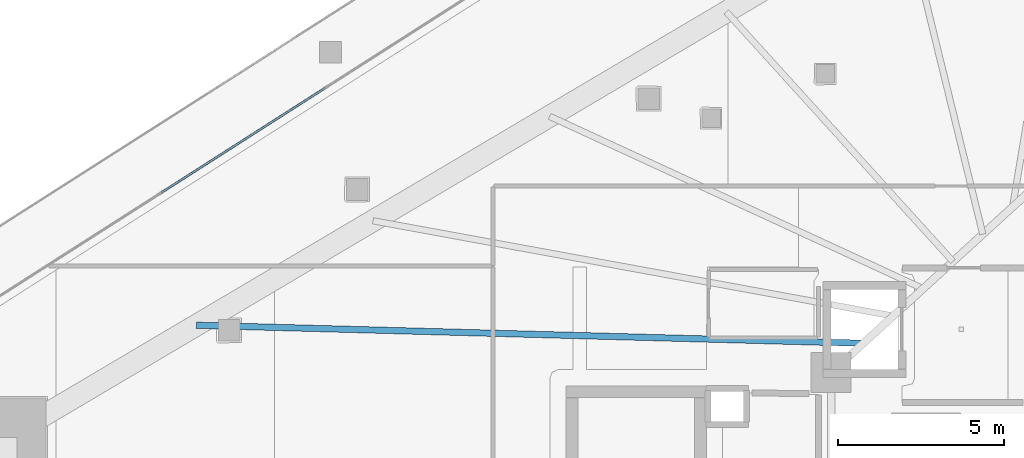
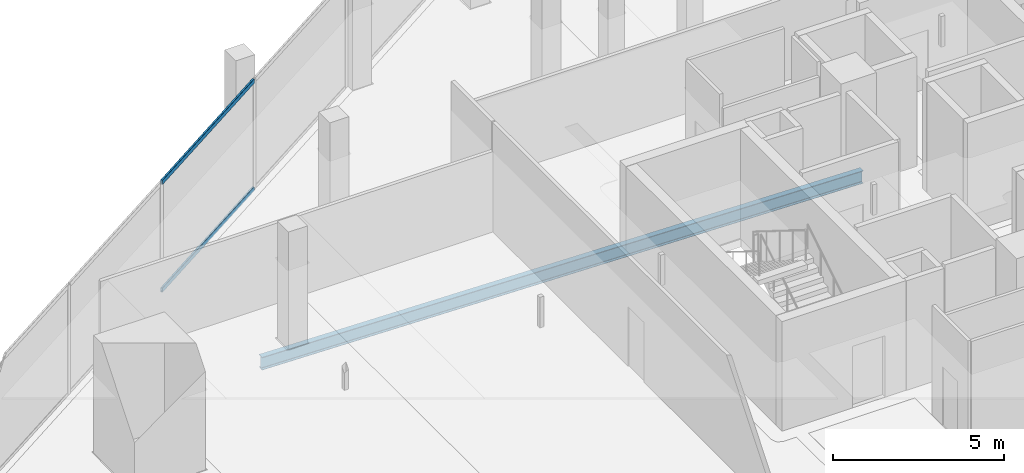
# One storey, part 13 of 44: 2 members, 1 beam, 1 element without a shape of its own.
"""IFC4 building model written with IfcOpenShell, lengths in metres."""

from ifc_helpers import new_model, si_unit, direction, frame, origin, origin_2d, place, context, subcontext, project, spatial, hollow_rectangle, i_section, extrude, material, layer, layer_set, material_profile, profile_set, type_object, element, aggregate, save


model = new_model("IFC4")

# Units and contexts
model_context = context("Model", 3, precision=1e-05, world=origin(), true_north=direction((0.0, 1.0)))
body_context = subcontext(model_context, "Body", "Model", "MODEL_VIEW")
ifc_project = project(units=[si_unit("LENGTHUNIT", "METRE"), si_unit("AREAUNIT", "SQUARE_METRE"), si_unit("VOLUMEUNIT", "CUBIC_METRE"), si_unit("PLANEANGLEUNIT", "RADIAN"), si_unit("MASSUNIT", "GRAM", prefix="KILO")], contexts=[model_context])

# Site, building, storey
site_placement = place(None, origin())
site = spatial("IfcSite", under=ifc_project, at=site_placement, CompositionType="ELEMENT")
building_placement = place(site_placement, origin())
building = spatial("IfcBuilding", under=site, at=building_placement, Name="Qorvath Tower", CompositionType="ELEMENT")
storey_placement = place(building_placement, frame((0.0, 0.0, 40.800048828125)))
storey = spatial("IfcBuildingStorey", under=building, at=storey_placement, Name="L08", CompositionType="ELEMENT", Elevation=40.800048828125)

# Beam
ifc_material_1 = material(Name="Steel ASTM A992 Grade 50", Category="steel")
ifc_material_profile_1 = material_profile(ifc_material_1, i_section(OverallWidth=0.18994140625, OverallDepth=0.45703125, WebThickness=0.009033203125, FlangeThickness=0.014404296875, FilletRadius=0.011962890625, at=origin_2d()), Name="W18x50")
ifc_profile_set_1 = profile_set([ifc_material_profile_1], Name="Steel ASTM A992 Grade 50")
beam_type = type_object("IfcBeamType", Name="BM-FJ2", PredefinedType="JOIST", material=ifc_profile_set_1)
beam_placement = place(storey_placement, frame((-29.533935546875, 6.031982421875, -0.508544921875), z_axis=(-0.999634925413, 0.02701880631, 0.0), x_axis=(-0.02701880631, -0.999634925413, 0.0)))
element("IfcBeam", 1, at=beam_placement, inside=storey, type_object=beam_type, Name="Composite Floor Joist NW1 L08", PredefinedType="JOIST", context=body_context, shape_type="SweptSolid", body=[
    extrude(i_section(OverallWidth=0.18994140625, OverallDepth=0.45703125, WebThickness=0.009033203125, FlangeThickness=0.014404296875, FilletRadius=0.011962890625, at=origin_2d()), origin(), (0.0, 0.0, 1.0), 20.041748046875),
])

# Curtain wall, members
ifc_material_2 = material(Name="Anodised aluminium and triple low-E glass", Category="aluminium")
ifc_layer = layer(ifc_material_2, 0.179931640625)
ifc_layer_set = layer_set([ifc_layer], Name="CW-SYS-2")
curtain_wall_type = type_object("IfcCurtainWallType", Name="CW-SYS-2", PredefinedType="NOTDEFINED", material=ifc_layer_set)
curtain_wall_placement = place(storey_placement, origin())
curtain_wall = element("IfcCurtainWall", 2, at=curtain_wall_placement, inside=storey, type_object=curtain_wall_type, Name="Curtain Wall CW-2 CW-T-L08-16.3", PredefinedType="NOTDEFINED")
ifc_material_3 = material(Name="Anodised aluminium 6063-T6", Category="aluminium")
ifc_material_profile_2 = material_profile(ifc_material_3, hollow_rectangle(XDim=0.06494140625, YDim=0.159912109375, WallThickness=0.00341796875, InnerFilletRadius=0.00341796875, OuterFilletRadius=0.007080078125, at=origin_2d()), Name="CWT 160x65")
ifc_profile_set_2 = profile_set([ifc_material_profile_2], Name="Anodised aluminium 6063-T6")
member_type = type_object("IfcMemberType", Name="CWT-160", PredefinedType="USERDEFINED", material=ifc_profile_set_2)
member_1_placement = place(storey_placement, frame((-45.704345703125, 13.69677734375, 0.032470703125), z_axis=(-0.842618260885, -0.538511342891, 0.0), x_axis=(0.538511342891, -0.842618260885, 0.0)))
member_1 = element("IfcMember", 3, at=member_1_placement, type_object=member_type, Name="CW-2 transom 2.1", ObjectType="TRANSOM", PredefinedType="USERDEFINED", context=body_context, shape_type="SweptSolid", body=[
    extrude(hollow_rectangle(XDim=0.06494140625, YDim=0.159912109375, WallThickness=0.00341796875, InnerFilletRadius=0.00341796875, OuterFilletRadius=0.007080078125, at=origin_2d()), origin(), (0.0, 0.0, 1.0), 5.8388671875),
])
member_2_placement = place(storey_placement, frame((-45.704345703125, 13.69677734375, 3.887451171875), z_axis=(-0.842618260885, -0.538511342891, 0.0), x_axis=(0.538511342891, -0.842618260885, 0.0)))
member_2 = element("IfcMember", 4, at=member_2_placement, type_object=member_type, Name="CW-2 transom 2.2", ObjectType="TRANSOM", PredefinedType="USERDEFINED", context=body_context, shape_type="SweptSolid", body=[
    extrude(hollow_rectangle(XDim=0.06494140625, YDim=0.159912109375, WallThickness=0.00341796875, InnerFilletRadius=0.00341796875, OuterFilletRadius=0.007080078125, at=origin_2d()), origin(), (0.0, 0.0, 1.0), 5.8388671875),
])
aggregate(curtain_wall, [member_1, member_2])

save(model, "model.ifc")
